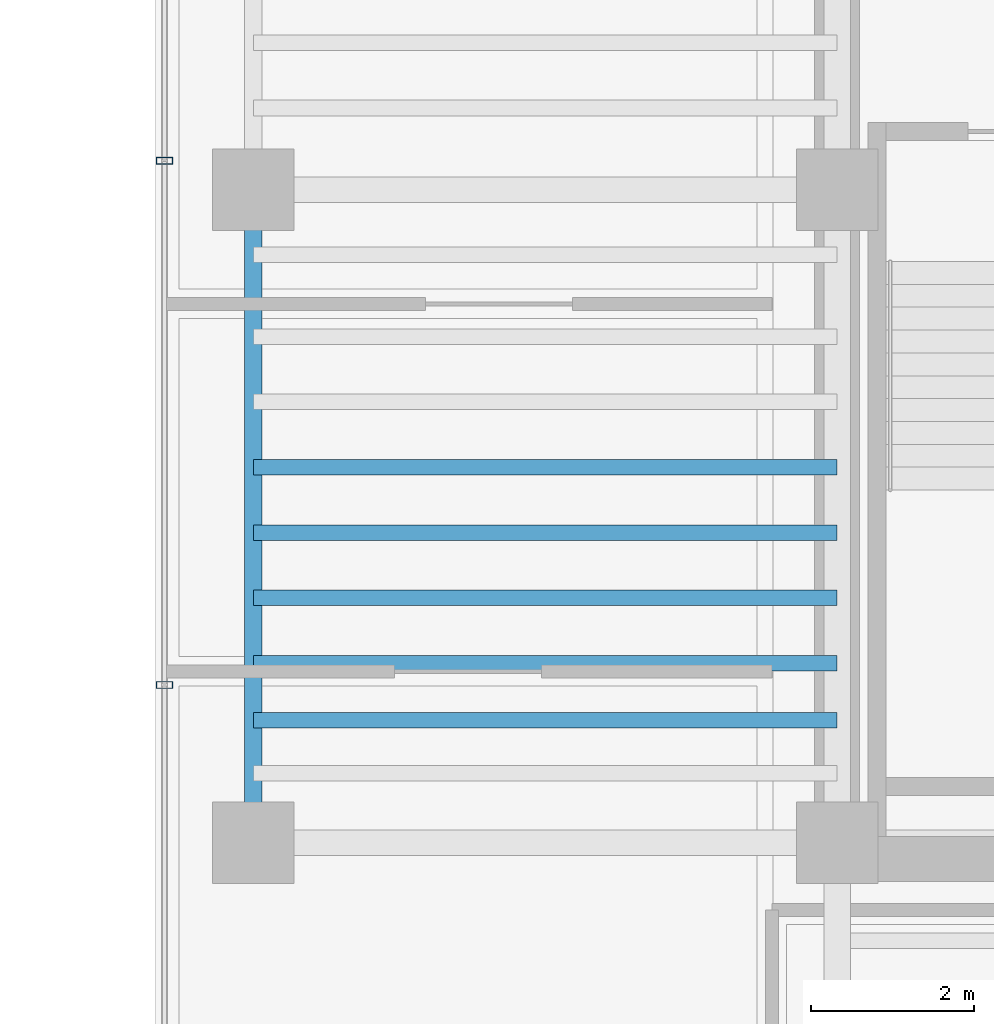
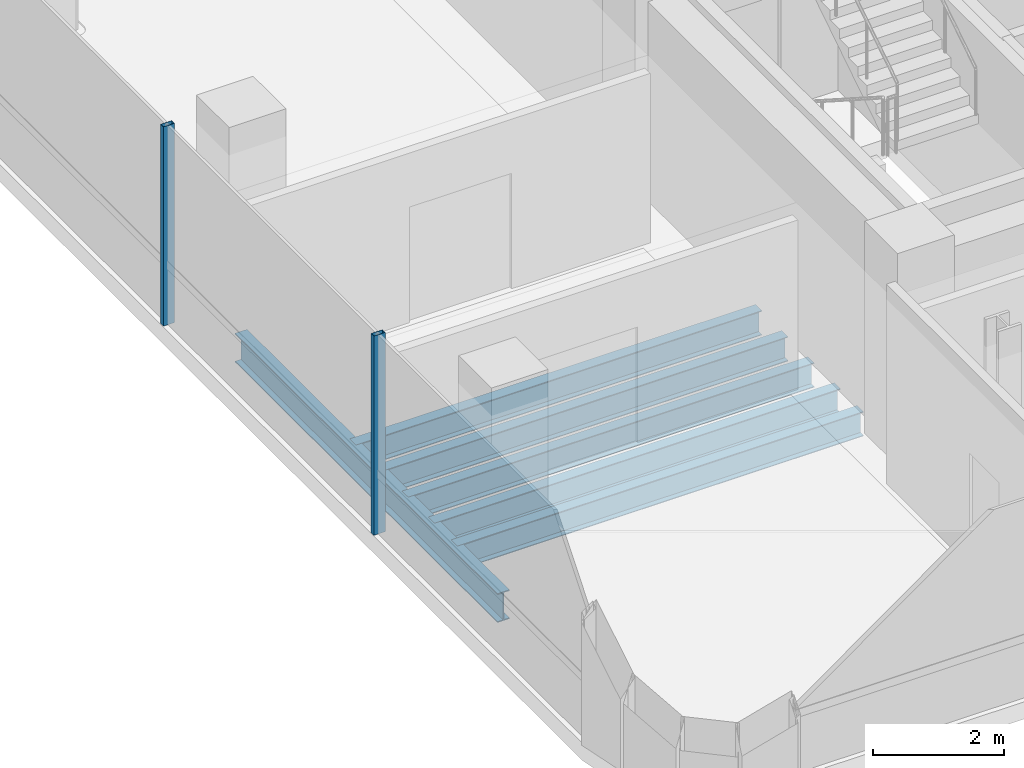
# One storey, part 4 of 35: 6 beams, 2 members, 1 element without a shape of its own.
"""IFC4 building model written with IfcOpenShell, lengths in metres."""

from ifc_helpers import new_model, si_unit, direction, frame, origin, origin_2d, place, context, subcontext, project, spatial, hollow_rectangle, i_section, extrude, source, transform, mapped, material, material_profile, profile_set, type_object, element, aggregate, save


model = new_model("IFC4")

# Units and contexts
model_context = context("Model", 3, precision=1e-05, world=origin(), true_north=direction((0.0, 1.0)))
body_context = subcontext(model_context, "Body", "Model", "MODEL_VIEW")
ifc_project = project(units=[si_unit("LENGTHUNIT", "METRE"), si_unit("AREAUNIT", "SQUARE_METRE"), si_unit("VOLUMEUNIT", "CUBIC_METRE"), si_unit("PLANEANGLEUNIT", "RADIAN"), si_unit("MASSUNIT", "GRAM", prefix="KILO")], contexts=[model_context])

# Site, building, storey
site_placement = place(None, origin())
site = spatial("IfcSite", under=ifc_project, at=site_placement, CompositionType="ELEMENT")
building_placement = place(site_placement, origin())
building = spatial("IfcBuilding", under=site, at=building_placement, Name="Valdorenza Pilgrim Sanctuary Tower", CompositionType="ELEMENT")
storey_placement = place(building_placement, frame((0.0, 0.0, 192.35009765625)))
storey = spatial("IfcBuildingStorey", under=building, at=storey_placement, Name="L49", CompositionType="ELEMENT", Elevation=192.35009765625)

# Beams
ifc_material_1 = material(Name="Steel ASTM A992 Grade 50", Category="steel")
ifc_material_profile_1 = material_profile(ifc_material_1, i_section(OverallWidth=0.19091796875, OverallDepth=0.45703125, WebThickness=0.009033203125, FlangeThickness=0.014404296875, at=origin_2d()), Name="W18X50")
ifc_profile_set_1 = profile_set([ifc_material_profile_1], Name="Steel ASTM A992 Grade 50")
beam_type_1 = type_object("IfcBeamType", Name="STR-BM-JST-W18B", PredefinedType="JOIST", material=ifc_profile_set_1)
shared_shape_1 = source(origin(), body_context, "Body", "SweptSolid", [
    extrude(i_section(OverallWidth=0.19091796875, OverallDepth=0.45703125, WebThickness=0.009033203125, FlangeThickness=0.014404296875, at=origin_2d()), origin(), (0.0, 0.0, 1.0), 7.150146484375),
])
for number, where, z_axis, x_axis, name in (
    (1, (-29.800048828125, -9.10009765625, -0.548583984375), (1.0, 0.0, 0.0), (0.0, 1.0, 0.0), "L49 Composite Floor Joist JST-WA-2"),
    (2, (-29.800048828125, -8.39990234375, -0.548583984375), (1.0, 0.0, 0.0), (0.0, 1.0, 0.0), "L49 Composite Floor Joist JST-WA-3"),
    (3, (-29.800048828125, -7.60009765625, -0.548583984375), (1.0, 0.0, 0.0), (0.0, 1.0, 0.0), "L49 Composite Floor Joist JST-WA-4"),
    (4, (-29.800048828125, -6.800048828125, -0.548583984375), (1.0, 0.0, 0.0), (0.0, 1.0, 0.0), "L49 Composite Floor Joist JST-WA-5"),
    (5, (-29.800048828125, -6.0, -0.548583984375), (1.0, 0.0, 0.0), (0.0, 1.0, 0.0), "L49 Composite Floor Joist JST-WA-6"),
):
    element("IfcBeam", number, at=place(storey_placement, frame(where, z_axis=z_axis, x_axis=x_axis)), inside=storey, type_object=beam_type_1, Name=name, PredefinedType="JOIST", context=body_context, shape_type="MappedRepresentation", body=[
        mapped(shared_shape_1, transform((0.0, 0.0, 0.0), x_axis=(1.0, 0.0, 0.0), y_axis=(0.0, 1.0, 0.0), z_axis=(0.0, 0.0, 1.0), scale=1.0)),
    ])
ifc_material_profile_2 = material_profile(ifc_material_1, i_section(OverallWidth=0.2109375, OverallDepth=0.5390625, WebThickness=0.01171875, FlangeThickness=0.018798828125, at=origin_2d()), Name="W21X73")
ifc_profile_set_2 = profile_set([ifc_material_profile_2], Name="Steel ASTM A992 Grade 50")
beam_type_2 = type_object("IfcBeamType", Name="STR-BM-SPN-W21B", PredefinedType="SPANDREL", material=ifc_profile_set_2)
shared_shape_2 = source(origin(), body_context, "Body", "SweptSolid", [
    extrude(i_section(OverallWidth=0.2109375, OverallDepth=0.5390625, WebThickness=0.01171875, FlangeThickness=0.018798828125, at=origin_2d()), origin(), (0.0, 0.0, 1.0), 8.0),
])
beam_placement = place(storey_placement, frame((-29.800048828125, -10.60009765625, -0.589599609375), z_axis=(0.0, 1.0, 0.0), x_axis=(-1.0, 0.0, 0.0)))
element("IfcBeam", 6, at=beam_placement, inside=storey, type_object=beam_type_2, Name="L49 Spandrel Beam WA-W-S1M0", PredefinedType="SPANDREL", context=body_context, shape_type="MappedRepresentation", body=[
    mapped(shared_shape_2, transform((0.0, 0.0, 0.0), x_axis=(1.0, 0.0, 0.0), y_axis=(0.0, 1.0, 0.0), z_axis=(0.0, 0.0, 1.0), scale=1.0)),
])

# Curtain wall, members
ifc_material_2 = material(Name="Curtain-wall IGU glazing", Category="glass")
curtain_wall_type = type_object("IfcCurtainWallType", Name="CW-SYS-02", PredefinedType="NOTDEFINED", material=ifc_material_2)
curtain_wall_placement = place(storey_placement, origin())
curtain_wall = element("IfcCurtainWall", 7, at=curtain_wall_placement, inside=storey, type_object=curtain_wall_type, Name="L49 Curtain Wall CW-L49-1-1S1", PredefinedType="NOTDEFINED")
ifc_material_3 = material(Name="Anodised aluminium AW-6060", Category="aluminium")
ifc_material_profile_3 = material_profile(ifc_material_3, hollow_rectangle(XDim=0.0849609375, YDim=0.199951171875, WallThickness=0.0048828125, at=origin_2d()), Name="ALU-M 200x85x5")
ifc_profile_set_3 = profile_set([ifc_material_profile_3], Name="Anodised aluminium AW-6060")
member_type = type_object("IfcMemberType", Name="CW-MUL-02", PredefinedType="MULLION", material=ifc_profile_set_3)
shared_shape_3 = source(origin(), body_context, "Body", "SweptSolid", [
    extrude(hollow_rectangle(XDim=0.0849609375, YDim=0.199951171875, WallThickness=0.0048828125, at=origin_2d()), origin(), (0.0, 0.0, 1.0), 3.7099609375),
])
member_1_placement = place(storey_placement, frame((-30.889892578125, -8.6669921875, 0.0), z_axis=(0.0, 0.0, 1.0), x_axis=(0.0, 1.0, 0.0)))
member_1 = element("IfcMember", 8, at=member_1_placement, type_object=member_type, Name="CW-L49-1-1S1 Mullion 2", PredefinedType="MULLION", context=body_context, shape_type="MappedRepresentation", body=[
    mapped(shared_shape_3, transform((0.0, 0.0, 0.0), x_axis=(1.0, 0.0, 0.0), y_axis=(0.0, 1.0, 0.0), z_axis=(0.0, 0.0, 1.0), scale=1.0)),
])
member_2_placement = place(storey_placement, frame((-30.889892578125, -2.24462890625, 0.0), z_axis=(0.0, 0.0, 1.0), x_axis=(0.0, 1.0, 0.0)))
member_2 = element("IfcMember", 9, at=member_2_placement, type_object=member_type, Name="CW-L49-1-1S1 Mullion 3", PredefinedType="MULLION", context=body_context, shape_type="MappedRepresentation", body=[
    mapped(shared_shape_3, transform((0.0, 0.0, 0.0), x_axis=(1.0, 0.0, 0.0), y_axis=(0.0, 1.0, 0.0), z_axis=(0.0, 0.0, 1.0), scale=1.0)),
])
aggregate(curtain_wall, [member_1, member_2])

save(model, "model.ifc")
